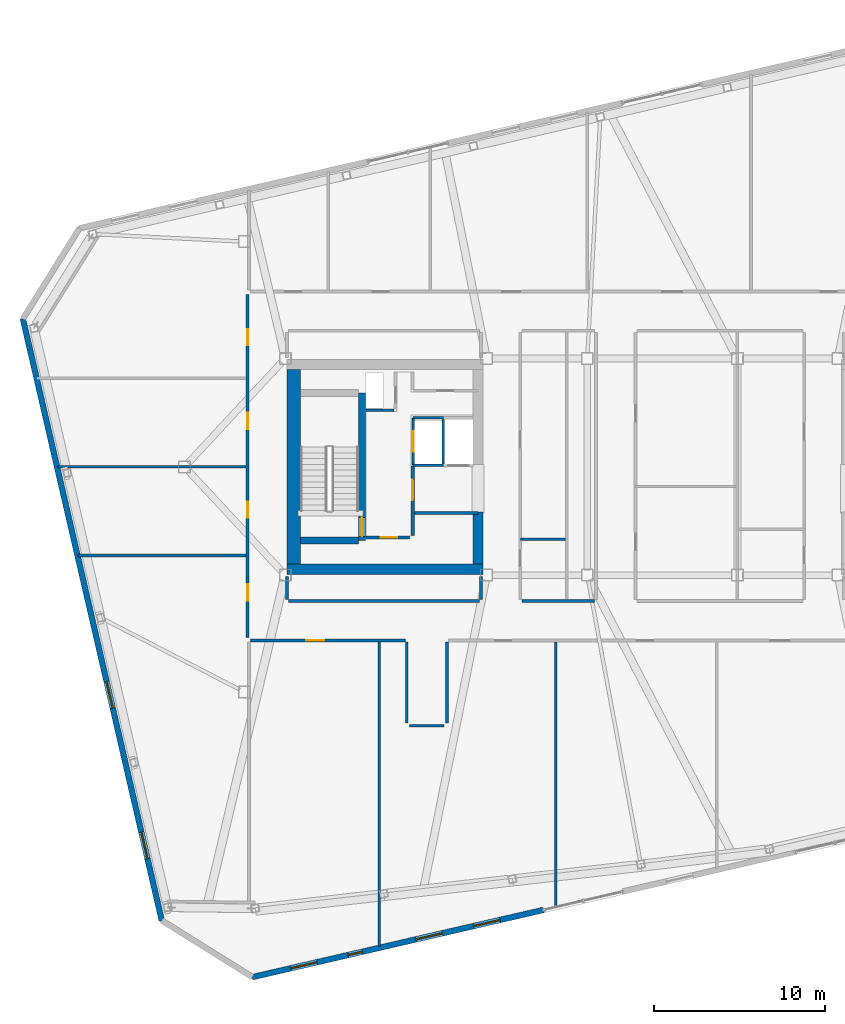
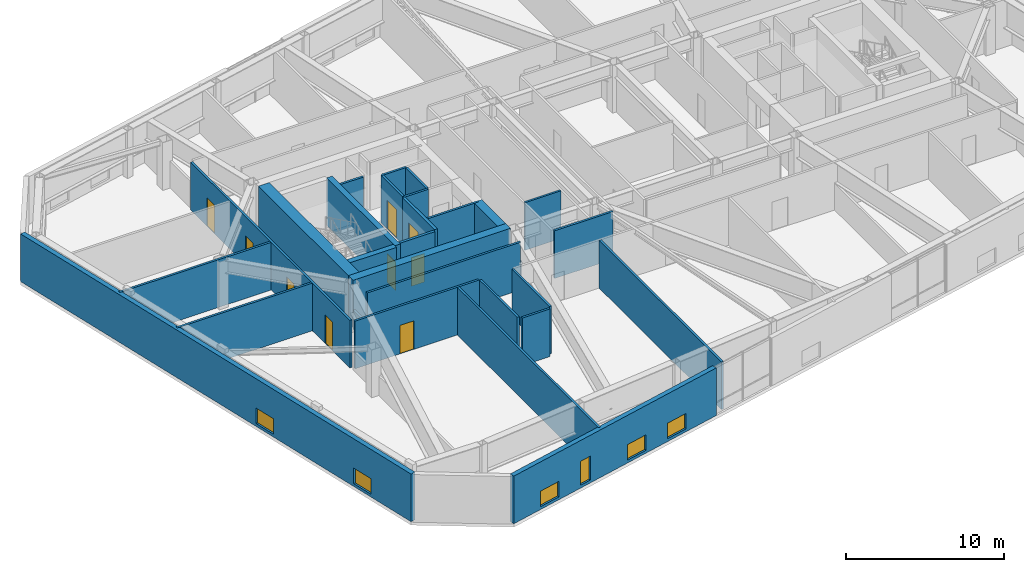
# One storey, part 16 of 23: 29 walls, 9 doors, 6 windows, 15 openings.
"""IFC4 building model written with IfcOpenShell, lengths in metres."""

from ifc_helpers import new_model, si_unit, direction, frame, frame_2d, origin, place, context, subcontext, project, spatial, rectangle, extrude, material, layer, layer_set, type_object, element, fill, save


model = new_model("IFC4")

# Units and contexts
model_context = context("Model", 3, precision=1e-05, world=origin(), true_north=direction((0.0, 1.0)))
body_context = subcontext(model_context, "Body", "Model", "MODEL_VIEW")
ifc_project = project(units=[si_unit("LENGTHUNIT", "METRE"), si_unit("AREAUNIT", "SQUARE_METRE"), si_unit("VOLUMEUNIT", "CUBIC_METRE"), si_unit("PLANEANGLEUNIT", "RADIAN"), si_unit("MASSUNIT", "GRAM", prefix="KILO")], contexts=[model_context])

# Site, building, storey
site_placement = place(None, origin())
site = spatial("IfcSite", under=ifc_project, at=site_placement, CompositionType="ELEMENT")
building_placement = place(site_placement, origin())
building = spatial("IfcBuilding", under=site, at=building_placement, Name="Tavrogorsk Clinical Tower", CompositionType="ELEMENT")
storey_placement = place(building_placement, frame((0.0, 0.0, 329.0)))
storey = spatial("IfcBuildingStorey", under=building, at=storey_placement, Name="L77", CompositionType="ELEMENT", Elevation=329.0)

# Wall, opening, door
ifc_material_1 = material(Name="Concrete B60", Category="concrete")
ifc_layer_1 = layer(ifc_material_1, 0.199951171875)
ifc_layer_set_1 = layer_set([ifc_layer_1], Name="Concrete B60")
wall_type_1 = type_object("IfcWallType", Name="CoreFireWall_200", PredefinedType="SOLIDWALL", material=ifc_layer_set_1)
wall_1_placement = place(storey_placement, frame((-17.3798828125, -4.139892578125, 0.0), z_axis=(0.0, 0.0, 1.0), x_axis=(1.0, 0.0, 0.0)))
wall_1 = element("IfcWall", 1, at=wall_1_placement, inside=storey, type_object=wall_type_1, Name="L77 Core West South Core Room Fire Wall", PredefinedType="SOLIDWALL", context=body_context, shape_type="SweptSolid", body=[
    extrude(rectangle(XDim=2.554931640625, YDim=0.199951171875, at=frame_2d((1.27734375, 0.0))), origin(), (0.0, 0.0, 1.0), 3.679931640625),
])
opening_1_placement = place(wall_1_placement, frame((0.8798828125, 0.0, 0.0)))
opening_1 = element("IfcOpeningElement", 2, at=opening_1_placement, cuts=wall_1, Name="Opening ID-02", PredefinedType="OPENING", context=body_context, shape_type="SweptSolid", body=[
    extrude(rectangle(XDim=0.949951171875, YDim=2.199951171875, at=frame_2d((0.47509765625, 1.10009765625))), frame((0.0, 0.10986328125, 0.0), z_axis=(0.0, -1.0, 0.0), x_axis=(1.0, 0.0, 0.0)), (0.0, 0.0, 1.0), 0.219970703125),
])
ifc_material_2 = material(Name="Laminated timber leaf on aluminium frame", Category="wood")
door_type_1 = type_object("IfcDoorType", Name="InteriorDoor_ID02_950", OperationType="NOTDEFINED", PredefinedType="DOOR", material=ifc_material_2)
door_1_placement = place(opening_1_placement, origin())
door_1 = element("IfcDoor", 3, at=door_1_placement, inside=storey, type_object=door_type_1, Name="L77 Core West South Core Room Door", OperationType="SINGLE_SWING_RIGHT", OverallHeight=2.199951171875, OverallWidth=0.949951171875, PredefinedType="DOOR", context=body_context, shape_type="SweptSolid", body=[
    extrude(rectangle(XDim=0.949951171875, YDim=2.199951171875, at=frame_2d((0.47509765625, 1.10009765625))), frame((0.0, 0.02490234375, 0.0), z_axis=(0.0, -1.0, 0.0), x_axis=(1.0, 0.0, 0.0)), (0.0, 0.0, 1.0), 0.050048828125),
])
fill(opening_1, door_1)

wall_2_placement = place(storey_placement, frame((-14.639892578125, -4.034912109375, 0.0), z_axis=(0.0, 0.0, 1.0), x_axis=(0.0, 1.0, 0.0)))
wall_2 = element("IfcWall", 4, at=wall_2_placement, inside=storey, type_object=wall_type_1, Name="L77 Core West Firefighting Lobby Fire Wall", PredefinedType="SOLIDWALL", context=body_context, shape_type="SweptSolid", body=[
    extrude(rectangle(XDim=4.074951171875, YDim=0.199951171875, at=frame_2d((2.03759765625, 0.0))), origin(), (0.0, 0.0, 1.0), 3.679931640625),
])
opening_2_placement = place(wall_2_placement, frame((2.090087890625, 0.0, 0.0)))
opening_2 = element("IfcOpeningElement", 5, at=opening_2_placement, cuts=wall_2, Name="Opening FD-01", PredefinedType="OPENING", context=body_context, shape_type="SweptSolid", body=[
    extrude(rectangle(XDim=1.199951171875, YDim=2.199951171875, at=frame_2d((0.60009765625, 1.10009765625))), frame((0.0, 0.10986328125, 0.0), z_axis=(0.0, -1.0, 0.0), x_axis=(1.0, 0.0, 0.0)), (0.0, 0.0, 1.0), 0.219970703125),
])
ifc_material_3 = material(Name="Galvanised steel fire-rated door assembly", Category="steel")
door_type_2 = type_object("IfcDoorType", Name="FireDoor_FD01_1200", OperationType="NOTDEFINED", PredefinedType="DOOR", material=ifc_material_3)
door_2_placement = place(opening_2_placement, origin())
door_2 = element("IfcDoor", 6, at=door_2_placement, inside=storey, type_object=door_type_2, Name="L77 Core West Firefighting Lobby Entry Door", OperationType="SINGLE_SWING_RIGHT", OverallHeight=2.199951171875, OverallWidth=1.199951171875, PredefinedType="DOOR", context=body_context, shape_type="SweptSolid", body=[
    extrude(rectangle(XDim=1.199951171875, YDim=2.199951171875, at=frame_2d((0.60009765625, 1.10009765625))), frame((0.0, 0.02490234375, 0.0), z_axis=(0.0, -1.0, 0.0), x_axis=(1.0, 0.0, 0.0)), (0.0, 0.0, 1.0), 0.050048828125),
])
fill(opening_2, door_2)

# Walls
ifc_material_4 = material(Name="Lightweight concrete blockwork B15", Category="masonry")
ifc_layer_2 = layer(ifc_material_4, 0.139892578125)
ifc_layer_set_2 = layer_set([ifc_layer_2], Name="Lightweight concrete blockwork B15")
wall_type_2 = type_object("IfcWallType", Name="PartitionWall_140", PredefinedType="PARTITIONING", material=ifc_layer_set_2)
wall_3_placement = place(storey_placement, frame((-8.31494140625, -4.25, 0.0), z_axis=(0.0, 0.0, 1.0), x_axis=(1.0, 0.0, 0.0)))
element("IfcWall", 7, at=wall_3_placement, inside=storey, type_object=wall_type_2, Name="L77 Central Spine Partition 4", PredefinedType="PARTITIONING", context=body_context, shape_type="SweptSolid", body=[
    extrude(rectangle(XDim=2.639892578125, YDim=0.139892578125, at=frame_2d((1.31982421875, 0.0))), origin(), (0.0, 0.0, 1.0), 3.679931640625),
])
ifc_material_5 = material(Name="Lightweight concrete blockwork B15", Category="masonry")
ifc_layer_3 = layer(ifc_material_5, 0.159912109375)
ifc_layer_set_3 = layer_set([ifc_layer_3], Name="Lightweight concrete blockwork B15")
wall_type_3 = type_object("IfcWallType", Name="PartitionWall_160", PredefinedType="PARTITIONING", material=ifc_layer_set_3)
wall_4_placement = place(storey_placement, frame((-14.534912109375, -2.699951171875, 0.0), z_axis=(0.0, 0.0, 1.0), x_axis=(1.0, 0.0, 0.0)))
element("IfcWall", 8, at=wall_4_placement, inside=storey, type_object=wall_type_3, Name="L77 Core West Freed Mid-Bank North Partition", PredefinedType="PARTITIONING", context=body_context, shape_type="SweptSolid", body=[
    extrude(rectangle(XDim=3.73486328125, YDim=0.159912109375, at=frame_2d((1.867431640625, 0.0))), origin(), (0.0, 0.0, 1.0), 3.679931640625),
])

# Wall, openings, doors
wall_5_placement = place(storey_placement, frame((-24.31005859375, -10.014892578125, 0.0), z_axis=(0.0, 0.0, 1.0), x_axis=(0.0, 1.0, 0.0)))
wall_5 = element("IfcWall", 9, at=wall_5_placement, inside=storey, type_object=wall_type_3, Name="L77 Corridor Partition 01", PredefinedType="PARTITIONING", context=body_context, shape_type="SweptSolid", body=[
    extrude(rectangle(XDim=20.1298828125, YDim=0.159912109375, at=frame_2d((10.06494140625, 0.0))), origin(), (0.0, 0.0, 1.0), 3.679931640625),
])
opening_3_placement = place(wall_5_placement, frame((2.169189453125, 0.0, 0.0)))
opening_3 = element("IfcOpeningElement", 10, at=opening_3_placement, cuts=wall_5, Name="Opening ID-02", PredefinedType="OPENING", context=body_context, shape_type="SweptSolid", body=[
    extrude(rectangle(XDim=0.949951171875, YDim=2.199951171875, at=frame_2d((0.47509765625, 1.10009765625))), frame((0.0, 0.08984375, 0.0), z_axis=(0.0, -1.0, 0.0), x_axis=(1.0, 0.0, 0.0)), (0.0, 0.0, 1.0), 0.179931640625),
])
opening_4_placement = place(wall_5_placement, frame((7.02490234375, 0.0, 0.0)))
opening_4 = element("IfcOpeningElement", 11, at=opening_4_placement, cuts=wall_5, Name="Opening ID-02", PredefinedType="OPENING", context=body_context, shape_type="SweptSolid", body=[
    extrude(rectangle(XDim=0.949951171875, YDim=2.199951171875, at=frame_2d((0.47509765625, 1.10009765625))), frame((0.0, 0.08984375, 0.0), z_axis=(0.0, -1.0, 0.0), x_axis=(1.0, 0.0, 0.0)), (0.0, 0.0, 1.0), 0.179931640625),
])
opening_5_placement = place(wall_5_placement, frame((12.22509765625, 0.0, 0.0)))
opening_5 = element("IfcOpeningElement", 12, at=opening_5_placement, cuts=wall_5, Name="Opening ID-02", PredefinedType="OPENING", context=body_context, shape_type="SweptSolid", body=[
    extrude(rectangle(XDim=0.949951171875, YDim=2.199951171875, at=frame_2d((0.47509765625, 1.10009765625))), frame((0.0, 0.08984375, 0.0), z_axis=(0.0, -1.0, 0.0), x_axis=(1.0, 0.0, 0.0)), (0.0, 0.0, 1.0), 0.179931640625),
])
opening_6_placement = place(wall_5_placement, frame((17.130859375, 0.0, 0.0)))
opening_6 = element("IfcOpeningElement", 13, at=opening_6_placement, cuts=wall_5, Name="Opening ID-02", PredefinedType="OPENING", context=body_context, shape_type="SweptSolid", body=[
    extrude(rectangle(XDim=0.949951171875, YDim=2.199951171875, at=frame_2d((0.47509765625, 1.10009765625))), frame((0.0, 0.08984375, 0.0), z_axis=(0.0, -1.0, 0.0), x_axis=(1.0, 0.0, 0.0)), (0.0, 0.0, 1.0), 0.179931640625),
])
door_3_placement = place(opening_3_placement, origin())
door_3 = element("IfcDoor", 14, at=door_3_placement, inside=storey, type_object=door_type_1, Name="L77 W Solarium Day Room & Lounge 1 Door", OperationType="SINGLE_SWING_RIGHT", OverallHeight=2.199951171875, OverallWidth=0.949951171875, PredefinedType="DOOR", context=body_context, shape_type="SweptSolid", body=[
    extrude(rectangle(XDim=0.949951171875, YDim=2.199951171875, at=frame_2d((0.47509765625, 1.10009765625))), frame((0.0, 0.02490234375, 0.0), z_axis=(0.0, -1.0, 0.0), x_axis=(1.0, 0.0, 0.0)), (0.0, 0.0, 1.0), 0.050048828125),
])
fill(opening_3, door_3)
door_4_placement = place(opening_4_placement, origin())
door_4 = element("IfcDoor", 15, at=door_4_placement, inside=storey, type_object=door_type_1, Name="L77 W Rehabilitation Therapy Suite 2 Door", OperationType="SINGLE_SWING_LEFT", OverallHeight=2.199951171875, OverallWidth=0.949951171875, PredefinedType="DOOR", context=body_context, shape_type="SweptSolid", body=[
    extrude(rectangle(XDim=0.949951171875, YDim=2.199951171875, at=frame_2d((0.47509765625, 1.10009765625))), frame((0.0, 0.02490234375, 0.0), z_axis=(0.0, -1.0, 0.0), x_axis=(1.0, 0.0, 0.0)), (0.0, 0.0, 1.0), 0.050048828125),
])
fill(opening_4, door_4)
door_5_placement = place(opening_5_placement, origin())
door_5 = element("IfcDoor", 16, at=door_5_placement, inside=storey, type_object=door_type_1, Name="L77 W Sub-Acute Observation Suite 3 Door", OperationType="SINGLE_SWING_RIGHT", OverallHeight=2.199951171875, OverallWidth=0.949951171875, PredefinedType="DOOR", context=body_context, shape_type="SweptSolid", body=[
    extrude(rectangle(XDim=0.949951171875, YDim=2.199951171875, at=frame_2d((0.47509765625, 1.10009765625))), frame((0.0, 0.02490234375, 0.0), z_axis=(0.0, -1.0, 0.0), x_axis=(1.0, 0.0, 0.0)), (0.0, 0.0, 1.0), 0.050048828125),
])
fill(opening_5, door_5)
door_6_placement = place(opening_6_placement, origin())
door_6 = element("IfcDoor", 17, at=door_6_placement, inside=storey, type_object=door_type_1, Name="L77 W Family Consultation Lounge 4 Door", OperationType="SINGLE_SWING_LEFT", OverallHeight=2.199951171875, OverallWidth=0.949951171875, PredefinedType="DOOR", context=body_context, shape_type="SweptSolid", body=[
    extrude(rectangle(XDim=0.949951171875, YDim=2.199951171875, at=frame_2d((0.47509765625, 1.10009765625))), frame((0.0, 0.02490234375, 0.0), z_axis=(0.0, -1.0, 0.0), x_axis=(1.0, 0.0, 0.0)), (0.0, 0.0, 1.0), 0.050048828125),
])
fill(opening_6, door_6)

# Walls
wall_6_placement = place(storey_placement, frame((-12.6201171875, -10.264892578125, 0.0), z_axis=(0.0, 0.0, 1.0), x_axis=(0.0, -1.0, 0.0)))
element("IfcWall", 18, at=wall_6_placement, inside=storey, type_object=wall_type_3, Name="L77 Corridor Partition 05", PredefinedType="PARTITIONING", context=body_context, shape_type="SweptSolid", body=[
    extrude(rectangle(XDim=4.75, YDim=0.159912109375, at=frame_2d((2.375, 0.0))), origin(), (0.0, 0.0, 1.0), 3.679931640625),
])
wall_7_placement = place(storey_placement, frame((-12.784912109375, -15.179931640625, 0.0), z_axis=(0.0, 0.0, 1.0), x_axis=(-1.0, 0.0, 0.0)))
element("IfcWall", 19, at=wall_7_placement, inside=storey, type_object=wall_type_3, Name="L77 Corridor Partition 06", PredefinedType="PARTITIONING", context=body_context, shape_type="SweptSolid", body=[
    extrude(rectangle(XDim=2.030029296875, YDim=0.159912109375, at=frame_2d((1.01513671875, 0.0))), origin(), (0.0, 0.0, 1.0), 3.679931640625),
])
wall_8_placement = place(storey_placement, frame((-14.97998046875, -15.014892578125, 0.0), z_axis=(0.0, 0.0, 1.0), x_axis=(0.0, 1.0, 0.0)))
element("IfcWall", 20, at=wall_8_placement, inside=storey, type_object=wall_type_3, Name="L77 Corridor Partition 07", PredefinedType="PARTITIONING", context=body_context, shape_type="SweptSolid", body=[
    extrude(rectangle(XDim=4.75, YDim=0.159912109375, at=frame_2d((2.375, 0.0))), origin(), (0.0, 0.0, 1.0), 3.679931640625),
])

# Wall, opening, door
wall_9_placement = place(storey_placement, frame((-15.06494140625, -10.179931640625, 0.0), z_axis=(0.0, 0.0, 1.0), x_axis=(-1.0, 0.0, 0.0)))
wall_9 = element("IfcWall", 21, at=wall_9_placement, inside=storey, type_object=wall_type_3, Name="L77 Corridor Partition 08", PredefinedType="PARTITIONING", context=body_context, shape_type="SweptSolid", body=[
    extrude(rectangle(XDim=9.080078125, YDim=0.159912109375, at=frame_2d((4.5400390625, 0.0))), origin(), (0.0, 0.0, 1.0), 3.679931640625),
])
opening_7_placement = place(wall_9_placement, frame((4.765869140625, 0.0, 0.0)))
opening_7 = element("IfcOpeningElement", 22, at=opening_7_placement, cuts=wall_9, Name="Opening ID-04", PredefinedType="OPENING", context=body_context, shape_type="SweptSolid", body=[
    extrude(rectangle(XDim=1.050048828125, YDim=2.199951171875, at=frame_2d((0.52490234375, 1.10009765625))), frame((0.0, 0.08984375, 0.0), z_axis=(0.0, -1.0, 0.0), x_axis=(1.0, 0.0, 0.0)), (0.0, 0.0, 1.0), 0.179931640625),
])
ifc_material_6 = material(Name="Antibacterial HPL consultation door on aluminium frame", Category="aluminium")
door_type_3 = type_object("IfcDoorType", Name="ConsultDoor_ID04_1050", OperationType="NOTDEFINED", PredefinedType="DOOR", material=ifc_material_6)
door_7_placement = place(opening_7_placement, origin())
door_7 = element("IfcDoor", 23, at=door_7_placement, inside=storey, type_object=door_type_3, Name="L77 South Clinical Trials Archive & Data Store 01 Door", OperationType="SINGLE_SWING_RIGHT", OverallHeight=2.199951171875, OverallWidth=1.050048828125, PredefinedType="DOOR", context=body_context, shape_type="SweptSolid", body=[
    extrude(rectangle(XDim=1.050048828125, YDim=2.199951171875, at=frame_2d((0.52490234375, 1.10009765625))), frame((0.0, 0.02490234375, 0.0), z_axis=(0.0, -1.0, 0.0), x_axis=(1.0, 0.0, 0.0)), (0.0, 0.0, 1.0), 0.050048828125),
])
fill(opening_7, door_7)

# Walls
wall_10_placement = place(storey_placement, frame((-8.235107421875, -7.8701171875, 0.0), z_axis=(0.0, 0.0, 1.0), x_axis=(1.0, 0.0, 0.0)))
element("IfcWall", 24, at=wall_10_placement, inside=storey, type_object=wall_type_3, Name="L77 Corridor Partition 22", PredefinedType="PARTITIONING", context=body_context, shape_type="SweptSolid", body=[
    extrude(rectangle(XDim=4.27001953125, YDim=0.159912109375, at=frame_2d((2.135009765625, 0.0))), origin(), (0.0, 0.0, 1.0), 3.679931640625),
])
wall_11_placement = place(storey_placement, frame((-10.6298828125, -7.784912109375, 0.0), z_axis=(0.0, 0.0, 1.0), x_axis=(0.0, 1.0, 0.0)))
element("IfcWall", 25, at=wall_11_placement, inside=storey, type_object=wall_type_3, Name="L77 Corridor Partition 23", PredefinedType="PARTITIONING", context=body_context, shape_type="SweptSolid", body=[
    extrude(rectangle(XDim=1.364990234375, YDim=0.159912109375, at=frame_2d((0.6826171875, 0.0))), origin(), (0.0, 0.0, 1.0), 2.074951171875),
])
wall_12_placement = place(storey_placement, frame((-22.0, -6.419921875, 0.0), z_axis=(0.0, 0.0, 1.0), x_axis=(0.0, -1.0, 0.0)))
element("IfcWall", 26, at=wall_12_placement, inside=storey, type_object=wall_type_3, Name="L77 Corridor Partition 27", PredefinedType="PARTITIONING", context=body_context, shape_type="SweptSolid", body=[
    extrude(rectangle(XDim=1.364990234375, YDim=0.159912109375, at=frame_2d((0.6826171875, 0.0))), origin(), (0.0, 0.0, 1.0), 1.47509765625),
])
wall_13_placement = place(storey_placement, frame((-21.9150390625, -7.8701171875, 0.0), z_axis=(0.0, 0.0, 1.0), x_axis=(1.0, 0.0, 0.0)))
element("IfcWall", 27, at=wall_13_placement, inside=storey, type_object=wall_type_3, Name="L77 Corridor Partition 28", PredefinedType="PARTITIONING", context=body_context, shape_type="SweptSolid", body=[
    extrude(rectangle(XDim=11.199951171875, YDim=0.159912109375, at=frame_2d((5.60009765625, 0.0))), origin(), (0.0, 0.0, 1.0), 3.679931640625),
])
wall_14_placement = place(storey_placement, frame((-16.60009765625, -28.129150390625, 0.0), z_axis=(0.0, 0.0, 1.0), x_axis=(0.0, 1.0, 0.0)))
element("IfcWall", 28, at=wall_14_placement, inside=storey, type_object=wall_type_3, Name="L77 South Room Partition 1", PredefinedType="PARTITIONING", context=body_context, shape_type="SweptSolid", body=[
    extrude(rectangle(XDim=17.8642578125, YDim=0.159912109375, at=frame_2d((8.93212890625, 0.0))), origin(), (0.0, 0.0, 1.0), 3.679931640625),
])
wall_15_placement = place(storey_placement, frame((-6.25, -25.739501953125, 0.0), z_axis=(0.0, 0.0, 1.0), x_axis=(0.0, 1.0, 0.0)))
element("IfcWall", 29, at=wall_15_placement, inside=storey, type_object=wall_type_3, Name="L77 South Sub-Partition 2", PredefinedType="PARTITIONING", context=body_context, shape_type="SweptSolid", body=[
    extrude(rectangle(XDim=15.474609375, YDim=0.159912109375, at=frame_2d((7.7373046875, 0.0))), origin(), (0.0, 0.0, 1.0), 3.679931640625),
])
wall_16_placement = place(storey_placement, frame((-34.26171875, -5.199951171875, 0.0), z_axis=(0.0, 0.0, 1.0), x_axis=(1.0, 0.0, 0.0)))
element("IfcWall", 30, at=wall_16_placement, inside=storey, type_object=wall_type_3, Name="L77 W Wing Divider 1", PredefinedType="PARTITIONING", context=body_context, shape_type="SweptSolid", body=[
    extrude(rectangle(XDim=9.86669921875, YDim=0.159912109375, at=frame_2d((4.933349609375, 0.0))), origin(), (0.0, 0.0, 1.0), 3.679931640625),
])
wall_17_placement = place(storey_placement, frame((-35.46240234375, 0.0, 0.0), z_axis=(0.0, 0.0, 1.0), x_axis=(1.0, 0.0, 0.0)))
element("IfcWall", 31, at=wall_17_placement, inside=storey, type_object=wall_type_3, Name="L77 W Wing Divider 2", PredefinedType="PARTITIONING", context=body_context, shape_type="SweptSolid", body=[
    extrude(rectangle(XDim=11.0673828125, YDim=0.159912109375, at=frame_2d((5.53369140625, 0.0))), origin(), (0.0, 0.0, 1.0), 3.679931640625),
])

# Wall, openings, windows
ifc_material_7 = material(Name="Precast concrete B45 with limestone cladding", Category="masonry")
ifc_layer_4 = layer(ifc_material_7, 0.340087890625)
ifc_layer_set_4 = layer_set([ifc_layer_4], Name="Precast concrete B45 with limestone cladding")
wall_type_4 = type_object("IfcWallType", Name="PrecastLimestoneWall_340", PredefinedType="STANDARD", material=ifc_layer_set_4)
wall_18_placement = place(storey_placement, frame((-24.029541015625, -29.916259765625, 0.0), z_axis=(0.0, 0.0, 1.0), x_axis=(0.974370978061, 0.224947098473, 0.0)))
wall_18 = element("IfcWall", 32, at=wall_18_placement, inside=storey, type_object=wall_type_4, Name="L77 S Limestone Facade Wall 1", PredefinedType="STANDARD", context=body_context, shape_type="SweptSolid", body=[
    extrude(rectangle(XDim=17.50634765625, YDim=0.340087890625, at=frame_2d((8.753173828125, 0.0))), origin(), (0.0, 0.0, 1.0), 3.679931640625),
])
opening_8_placement = place(wall_18_placement, frame((2.300048828125, 0.0, 0.219970703125)))
opening_8 = element("IfcOpeningElement", 33, at=opening_8_placement, cuts=wall_18, Name="Opening WN-09", PredefinedType="OPENING", context=body_context, shape_type="SweptSolid", body=[
    extrude(rectangle(XDim=1.60009765625, YDim=1.199951171875, at=frame_2d((0.800048828125, 0.60009765625))), frame((0.0, 0.179931640625, 0.0), z_axis=(0.0, -1.0, 0.0), x_axis=(1.0, 0.0, 0.0)), (0.0, 0.0, 1.0), 0.360107421875),
])
opening_9_placement = place(wall_18_placement, frame((5.766845703125, 0.0, 0.219970703125)))
opening_9 = element("IfcOpeningElement", 34, at=opening_9_placement, cuts=wall_18, Name="Opening WN-06", PredefinedType="OPENING", context=body_context, shape_type="SweptSolid", body=[
    extrude(rectangle(XDim=0.85009765625, YDim=1.85009765625, at=frame_2d((0.425048828125, 0.925048828125))), frame((0.0, 0.179931640625, 0.0), z_axis=(0.0, -1.0, 0.0), x_axis=(1.0, 0.0, 0.0)), (0.0, 0.0, 1.0), 0.360107421875),
])
opening_10_placement = place(wall_18_placement, frame((9.83642578125, 0.0, 0.219970703125)))
opening_10 = element("IfcOpeningElement", 35, at=opening_10_placement, cuts=wall_18, Name="Opening WN-09", PredefinedType="OPENING", context=body_context, shape_type="SweptSolid", body=[
    extrude(rectangle(XDim=1.60009765625, YDim=1.199951171875, at=frame_2d((0.800048828125, 0.60009765625))), frame((0.0, 0.179931640625, 0.0), z_axis=(0.0, -1.0, 0.0), x_axis=(1.0, 0.0, 0.0)), (0.0, 0.0, 1.0), 0.360107421875),
])
opening_11_placement = place(wall_18_placement, frame((13.30322265625, 0.0, 0.219970703125)))
opening_11 = element("IfcOpeningElement", 36, at=opening_11_placement, cuts=wall_18, Name="Opening WN-09", PredefinedType="OPENING", context=body_context, shape_type="SweptSolid", body=[
    extrude(rectangle(XDim=1.60009765625, YDim=1.199951171875, at=frame_2d((0.800048828125, 0.60009765625))), frame((0.0, 0.179931640625, 0.0), z_axis=(0.0, -1.0, 0.0), x_axis=(1.0, 0.0, 0.0)), (0.0, 0.0, 1.0), 0.360107421875),
])
ifc_material_8 = material(Name="Thermally broken aluminium frame and triple IGU", Category="aluminium")
window_type_1 = type_object("IfcWindowType", Name="LowHeadTransWin_1600x1200", PartitioningType="DOUBLE_PANEL_VERTICAL", PredefinedType="WINDOW", material=ifc_material_8)
window_1_placement = place(opening_8_placement, origin())
window_1 = element("IfcWindow", 37, at=window_1_placement, inside=storey, type_object=window_type_1, Name="L77 S Chicago Window 01", OverallHeight=1.199951171875, OverallWidth=1.60009765625, PartitioningType="SINGLE_PANEL", PredefinedType="WINDOW", context=body_context, shape_type="SweptSolid", body=[
    extrude(rectangle(XDim=1.60009765625, YDim=1.199951171875, at=frame_2d((0.800048828125, 0.60009765625))), frame((0.0, 0.030029296875, 0.0), z_axis=(0.0, -1.0, 0.0), x_axis=(1.0, 0.0, 0.0)), (0.0, 0.0, 1.0), 0.06005859375),
])
fill(opening_8, window_1)
window_2_placement = place(opening_10_placement, origin())
window_2 = element("IfcWindow", 38, at=window_2_placement, inside=storey, type_object=window_type_1, Name="L77 S Chicago Window 03", OverallHeight=1.199951171875, OverallWidth=1.60009765625, PartitioningType="SINGLE_PANEL", PredefinedType="WINDOW", context=body_context, shape_type="SweptSolid", body=[
    extrude(rectangle(XDim=1.60009765625, YDim=1.199951171875, at=frame_2d((0.800048828125, 0.60009765625))), frame((0.0, 0.030029296875, 0.0), z_axis=(0.0, -1.0, 0.0), x_axis=(1.0, 0.0, 0.0)), (0.0, 0.0, 1.0), 0.06005859375),
])
fill(opening_10, window_2)
window_3_placement = place(opening_11_placement, origin())
window_3 = element("IfcWindow", 39, at=window_3_placement, inside=storey, type_object=window_type_1, Name="L77 S Chicago Window 04", OverallHeight=1.199951171875, OverallWidth=1.60009765625, PartitioningType="SINGLE_PANEL", PredefinedType="WINDOW", context=body_context, shape_type="SweptSolid", body=[
    extrude(rectangle(XDim=1.60009765625, YDim=1.199951171875, at=frame_2d((0.800048828125, 0.60009765625))), frame((0.0, 0.030029296875, 0.0), z_axis=(0.0, -1.0, 0.0), x_axis=(1.0, 0.0, 0.0)), (0.0, 0.0, 1.0), 0.06005859375),
])
fill(opening_11, window_3)
ifc_material_9 = material(Name="Thermally broken aluminium frame and triple IGU", Category="aluminium")
window_type_2 = type_object("IfcWindowType", Name="MullionSubWin_850x1850", PartitioningType="SINGLE_PANEL", PredefinedType="WINDOW", material=ifc_material_9)
window_4_placement = place(opening_9_placement, origin())
window_4 = element("IfcWindow", 40, at=window_4_placement, inside=storey, type_object=window_type_2, Name="L77 S Mullion Split Window 02A", OverallHeight=1.85009765625, OverallWidth=0.85009765625, PartitioningType="SINGLE_PANEL", PredefinedType="WINDOW", context=body_context, shape_type="SweptSolid", body=[
    extrude(rectangle(XDim=0.85009765625, YDim=1.85009765625, at=frame_2d((0.425048828125, 0.925048828125))), frame((0.0, 0.030029296875, 0.0), z_axis=(0.0, -1.0, 0.0), x_axis=(1.0, 0.0, 0.0)), (0.0, 0.0, 1.0), 0.06005859375),
])
fill(opening_9, window_4)

wall_19_placement = place(storey_placement, frame((-37.48583984375, 8.676025390625, 0.0), z_axis=(0.0, 0.0, 1.0), x_axis=(0.224953091034, -0.974369594576, 0.0)))
wall_19 = element("IfcWall", 41, at=wall_19_placement, inside=storey, type_object=wall_type_4, Name="L77 W Pleated Limestone Wing Wall", PredefinedType="STANDARD", context=body_context, shape_type="SweptSolid", body=[
    extrude(rectangle(XDim=36.199951171875, YDim=0.340087890625, at=frame_2d((18.10009765625, 0.0))), origin(), (0.0, 0.0, 1.0), 3.679931640625),
])
opening_12_placement = place(wall_19_placement, frame((21.824951171875, 0.0, 0.219970703125)))
opening_12 = element("IfcOpeningElement", 42, at=opening_12_placement, cuts=wall_19, Name="Opening WN-09", PredefinedType="OPENING", context=body_context, shape_type="SweptSolid", body=[
    extrude(rectangle(XDim=1.60009765625, YDim=1.199951171875, at=frame_2d((0.800048828125, 0.60009765625))), frame((0.0, 0.179931640625, 0.0), z_axis=(0.0, -1.0, 0.0), x_axis=(1.0, 0.0, 0.0)), (0.0, 0.0, 1.0), 0.360107421875),
])
opening_13_placement = place(wall_19_placement, frame((30.875, 0.0, 0.219970703125)))
opening_13 = element("IfcOpeningElement", 43, at=opening_13_placement, cuts=wall_19, Name="Opening WN-09", PredefinedType="OPENING", context=body_context, shape_type="SweptSolid", body=[
    extrude(rectangle(XDim=1.60009765625, YDim=1.199951171875, at=frame_2d((0.800048828125, 0.60009765625))), frame((0.0, 0.179931640625, 0.0), z_axis=(0.0, -1.0, 0.0), x_axis=(1.0, 0.0, 0.0)), (0.0, 0.0, 1.0), 0.360107421875),
])
window_5_placement = place(opening_12_placement, origin())
window_5 = element("IfcWindow", 44, at=window_5_placement, inside=storey, type_object=window_type_1, Name="L77 W Pleat Slot Window 3", OverallHeight=1.199951171875, OverallWidth=1.60009765625, PartitioningType="SINGLE_PANEL", PredefinedType="WINDOW", context=body_context, shape_type="SweptSolid", body=[
    extrude(rectangle(XDim=1.60009765625, YDim=1.199951171875, at=frame_2d((0.800048828125, 0.60009765625))), frame((0.0, 0.030029296875, 0.0), z_axis=(0.0, -1.0, 0.0), x_axis=(1.0, 0.0, 0.0)), (0.0, 0.0, 1.0), 0.06005859375),
])
fill(opening_12, window_5)
window_6_placement = place(opening_13_placement, origin())
window_6 = element("IfcWindow", 45, at=window_6_placement, inside=storey, type_object=window_type_1, Name="L77 W Pleat Slot Window 4", OverallHeight=1.199951171875, OverallWidth=1.60009765625, PartitioningType="SINGLE_PANEL", PredefinedType="WINDOW", context=body_context, shape_type="SweptSolid", body=[
    extrude(rectangle(XDim=1.60009765625, YDim=1.199951171875, at=frame_2d((0.800048828125, 0.60009765625))), frame((0.0, 0.030029296875, 0.0), z_axis=(0.0, -1.0, 0.0), x_axis=(1.0, 0.0, 0.0)), (0.0, 0.0, 1.0), 0.06005859375),
])
fill(opening_13, window_6)

# Wall, opening, door
ifc_material_10 = material(Name="Lightweight concrete blockwork B25", Category="masonry")
ifc_layer_5 = layer(ifc_material_10, 0.159912109375)
ifc_layer_set_5 = layer_set([ifc_layer_5], Name="Lightweight concrete blockwork B25")
wall_type_5 = type_object("IfcWallType", Name="ShaftWall_160", PredefinedType="PARTITIONING", material=ifc_layer_set_5)
wall_20_placement = place(storey_placement, frame((-14.60009765625, 0.1201171875, 0.0), z_axis=(0.0, 0.0, 1.0), x_axis=(0.0, 1.0, 0.0)))
wall_20 = element("IfcWall", 46, at=wall_20_placement, inside=storey, type_object=wall_type_5, Name="L77 FFL-W Firefighting Lift Front Wall", PredefinedType="PARTITIONING", context=body_context, shape_type="SweptSolid", body=[
    extrude(rectangle(XDim=2.739990234375, YDim=0.159912109375, at=frame_2d((1.3701171875, 0.0))), origin(), (0.0, 0.0, 1.0), 3.679931640625),
])
opening_14_placement = place(wall_20_placement, frame((0.77001953125, 0.0, 0.0)))
opening_14 = element("IfcOpeningElement", 47, at=opening_14_placement, cuts=wall_20, Name="Opening LD", PredefinedType="OPENING", context=body_context, shape_type="SweptSolid", body=[
    extrude(rectangle(XDim=1.199951171875, YDim=2.199951171875, at=frame_2d((0.60009765625, 1.10009765625))), frame((0.0, 0.08984375, 0.0), z_axis=(0.0, -1.0, 0.0), x_axis=(1.0, 0.0, 0.0)), (0.0, 0.0, 1.0), 0.179931640625),
])
ifc_material_11 = material(Name="Brushed stainless steel AISI 304 sliding doors", Category="steel")
door_type_4 = type_object("IfcDoorType", Name="LiftLandingDoor_LD_1200", OperationType="SLIDING_TO_LEFT", PredefinedType="DOOR", material=ifc_material_11)
door_8_placement = place(opening_14_placement, origin())
door_8 = element("IfcDoor", 48, at=door_8_placement, inside=storey, type_object=door_type_4, Name="L77 FFL-W Sliding Lift Landing Door", OperationType="SLIDING_TO_LEFT", OverallHeight=2.199951171875, OverallWidth=1.199951171875, PredefinedType="DOOR", context=body_context, shape_type="SweptSolid", body=[
    extrude(rectangle(XDim=1.199951171875, YDim=2.199951171875, at=frame_2d((0.60009765625, 1.10009765625))), frame((0.0, 0.02490234375, 0.0), z_axis=(0.0, -1.0, 0.0), x_axis=(1.0, 0.0, 0.0)), (0.0, 0.0, 1.0), 0.050048828125),
])
fill(opening_14, door_8)

# Walls
for number, where, z_axis, x_axis, name in (
    (49, (-14.60009765625, 0.10009765625, 0.0), (0.0, 0.0, 1.0), (1.0, 0.0, 0.0), "L77 FFL-W Shaft South Wall"),
    (50, (-14.60009765625, 2.8798828125, 0.0), (0.0, 0.0, 1.0), (1.0, 0.0, 0.0), "L77 FFL-W Shaft North Wall"),
):
    element("IfcWall", number, at=place(storey_placement, frame(where, z_axis=z_axis, x_axis=x_axis)), inside=storey, type_object=wall_type_5, Name=name, PredefinedType="PARTITIONING", context=body_context, shape_type="SweptSolid", body=[
        extrude(rectangle(XDim=1.760009765625, YDim=0.159912109375, at=frame_2d((0.8798828125, 0.0))), origin(), (0.0, 0.0, 1.0), 3.679931640625),
    ])
wall_21_placement = place(storey_placement, frame((-12.840087890625, 0.179931640625, 0.0), z_axis=(0.0, 0.0, 1.0), x_axis=(0.0, 1.0, 0.0)))
element("IfcWall", 51, at=wall_21_placement, inside=storey, type_object=wall_type_5, Name="L77 FFL-W Shaft Back Wall", PredefinedType="PARTITIONING", context=body_context, shape_type="SweptSolid", body=[
    extrude(rectangle(XDim=2.6201171875, YDim=0.159912109375, at=frame_2d((1.31005859375, 0.0))), origin(), (0.0, 0.0, 1.0), 3.679931640625),
])
wall_22_placement = place(storey_placement, frame((-17.3798828125, 3.320068359375, 0.0), z_axis=(0.0, 0.0, 1.0), x_axis=(1.0, 0.0, 0.0)))
element("IfcWall", 52, at=wall_22_placement, inside=storey, type_object=wall_type_5, Name="L77 Core West Riser South Wall", PredefinedType="PARTITIONING", context=body_context, shape_type="SweptSolid", body=[
    extrude(rectangle(XDim=1.65478515625, YDim=0.159912109375, at=frame_2d((0.827392578125, 0.0))), origin(), (0.0, 0.0, 1.0), 3.679931640625),
])

# Wall, opening, door
ifc_material_12 = material(Name="Concrete B80", Category="concrete")
ifc_layer_6 = layer(ifc_material_12, 0.39990234375)
ifc_layer_set_6 = layer_set([ifc_layer_6], Name="Concrete B80")
wall_type_6 = type_object("IfcWallType", Name="ShearWall_400", PredefinedType="SHEAR", material=ifc_layer_set_6)
wall_23_placement = place(storey_placement, frame((-17.60009765625, -4.324951171875, 0.0), z_axis=(0.0, 0.0, 1.0), x_axis=(0.0, 1.0, 0.0)))
wall_23 = element("IfcWall", 53, at=wall_23_placement, inside=storey, type_object=wall_type_6, Name="L77 Core West Stair Shaft Inner Shear Wall", PredefinedType="SHEAR", context=body_context, shape_type="SweptSolid", body=[
    extrude(rectangle(XDim=8.64990234375, YDim=0.39990234375, at=frame_2d((4.324951171875, 0.0))), origin(), (0.0, 0.0, 1.0), 3.679931640625),
])
opening_15_placement = place(wall_23_placement, frame((0.25, 0.0, 0.0)))
opening_15 = element("IfcOpeningElement", 54, at=opening_15_placement, cuts=wall_23, Name="Opening SD-01", PredefinedType="OPENING", context=body_context, shape_type="SweptSolid", body=[
    extrude(rectangle(XDim=1.10009765625, YDim=2.199951171875, at=frame_2d((0.550048828125, 1.10009765625))), frame((0.0, 0.2099609375, 0.0), z_axis=(0.0, -1.0, 0.0), x_axis=(1.0, 0.0, 0.0)), (0.0, 0.0, 1.0), 0.419921875),
])
ifc_material_13 = material(Name="Galvanised steel smoke-tight fire door assembly", Category="steel")
door_type_5 = type_object("IfcDoorType", Name="StairFireDoor_SD01_1100", OperationType="NOTDEFINED", PredefinedType="DOOR", material=ifc_material_13)
door_9_placement = place(opening_15_placement, origin())
door_9 = element("IfcDoor", 55, at=door_9_placement, inside=storey, type_object=door_type_5, Name="L77 ST-W Exit Stair Door", OperationType="SINGLE_SWING_RIGHT", OverallHeight=2.199951171875, OverallWidth=1.10009765625, PredefinedType="DOOR", context=body_context, shape_type="SweptSolid", body=[
    extrude(rectangle(XDim=1.10009765625, YDim=2.199951171875, at=frame_2d((0.550048828125, 1.10009765625))), frame((0.0, 0.02490234375, 0.0), z_axis=(0.0, -1.0, 0.0), x_axis=(1.0, 0.0, 0.0)), (0.0, 0.0, 1.0), 0.050048828125),
])
fill(opening_15, door_9)

# Walls
wall_24_placement = place(storey_placement, frame((-21.199951171875, -4.324951171875, 0.0), z_axis=(0.0, 0.0, 1.0), x_axis=(1.0, 0.0, 0.0)))
element("IfcWall", 56, at=wall_24_placement, inside=storey, type_object=wall_type_6, Name="L77 Core West Stair Shaft South Shear Wall", PredefinedType="SHEAR", context=body_context, shape_type="SweptSolid", body=[
    extrude(rectangle(XDim=3.39990234375, YDim=0.39990234375, at=frame_2d((1.699951171875, 0.0))), origin(), (0.0, 0.0, 1.0), 3.679931640625),
])
ifc_material_14 = material(Name="Concrete B80", Category="concrete")
ifc_layer_7 = layer(ifc_material_14, 0.60009765625)
ifc_layer_set_7 = layer_set([ifc_layer_7], Name="Concrete B80")
wall_type_7 = type_object("IfcWallType", Name="ShearWall_600", PredefinedType="SHEAR", material=ifc_layer_set_7)
wall_25_placement = place(storey_placement, frame((-22.0, -6.0, 0.0), z_axis=(0.0, 0.0, 1.0), x_axis=(1.0, 0.0, 0.0)))
element("IfcWall", 57, at=wall_25_placement, inside=storey, type_object=wall_type_7, Name="L77 Core West South Shear Wall", PredefinedType="SHEAR", context=body_context, shape_type="SweptSolid", body=[
    extrude(rectangle(XDim=11.5, YDim=0.60009765625, at=frame_2d((5.75, 0.0))), origin(), (0.0, 0.0, 1.0), 3.679931640625),
])
wall_26_placement = place(storey_placement, frame((-10.800048828125, -5.699951171875, 0.0), z_axis=(0.0, 0.0, 1.0), x_axis=(0.0, 1.0, 0.0)))
element("IfcWall", 58, at=wall_26_placement, inside=storey, type_object=wall_type_7, Name="L77 Core West Inner South Pier", PredefinedType="SHEAR", context=body_context, shape_type="SweptSolid", body=[
    extrude(rectangle(XDim=3.050048828125, YDim=0.60009765625, at=frame_2d((1.52490234375, 0.0))), origin(), (0.0, 0.0, 1.0), 3.679931640625),
])
ifc_material_15 = material(Name="Concrete B80", Category="concrete")
ifc_layer_8 = layer(ifc_material_15, 0.800048828125)
ifc_layer_set_8 = layer_set([ifc_layer_8], Name="Concrete B80")
wall_type_8 = type_object("IfcWallType", Name="ShearWall_800", PredefinedType="SHEAR", material=ifc_layer_set_8)
wall_27_placement = place(storey_placement, frame((-21.60009765625, -5.699951171875, 0.0), z_axis=(0.0, 0.0, 1.0), x_axis=(0.0, 1.0, 0.0)))
element("IfcWall", 59, at=wall_27_placement, inside=storey, type_object=wall_type_8, Name="L77 Core West End Shear Wall", PredefinedType="SHEAR", context=body_context, shape_type="SweptSolid", body=[
    extrude(rectangle(XDim=11.39990234375, YDim=0.800048828125, at=frame_2d((5.699951171875, 0.0))), origin(), (0.0, 0.0, 1.0), 3.679931640625),
])

save(model, "model.ifc")
